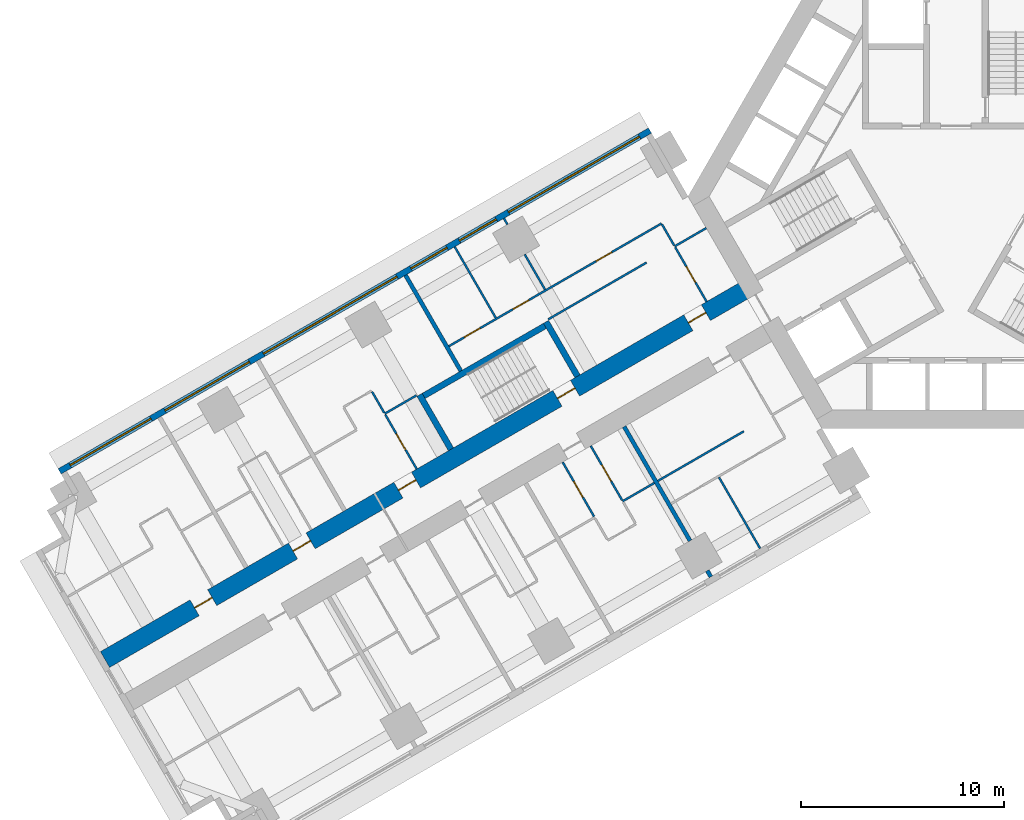
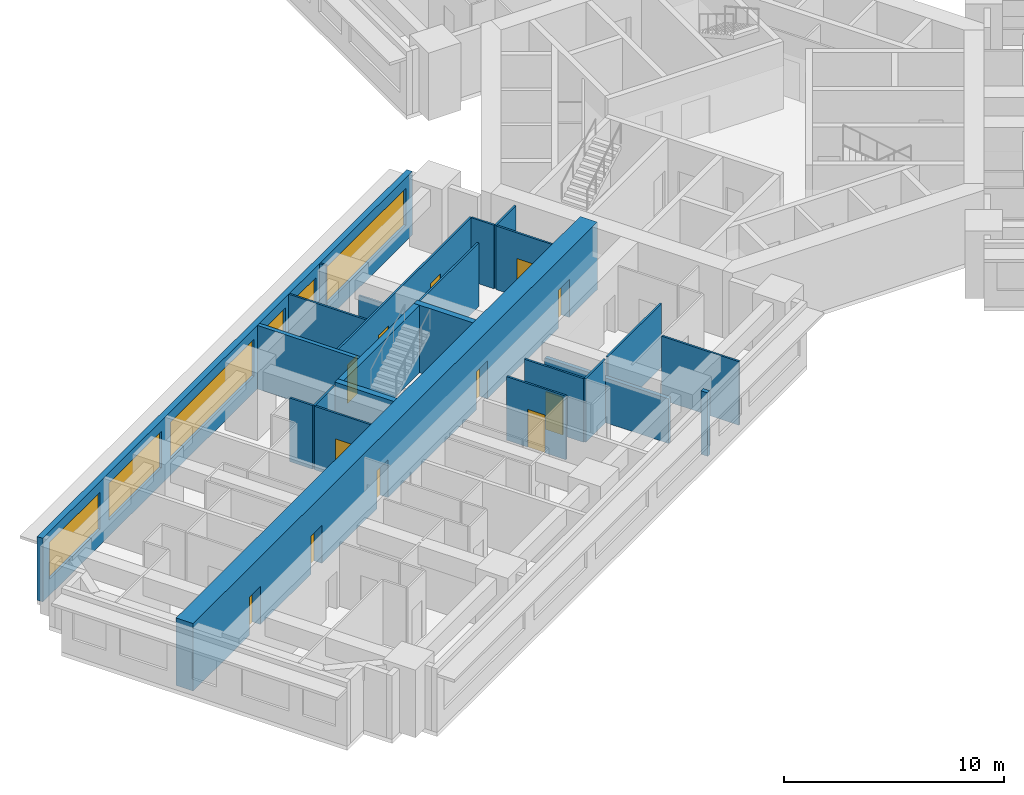
# One storey, part 5 of 16: 24 walls, 12 doors, 6 windows, 18 openings.
"""IFC4 building model written with IfcOpenShell, lengths in metres."""

from ifc_helpers import new_model, si_unit, direction, frame, frame_2d, origin, place, context, subcontext, project, spatial, rectangle, extrude, material, layer, layer_set, type_object, element, fill, save


model = new_model("IFC4")

# Units and contexts
model_context = context("Model", 3, precision=1e-05, world=origin(), true_north=direction((0.0, 1.0)))
body_context = subcontext(model_context, "Body", "Model", "MODEL_VIEW")
ifc_project = project(units=[si_unit("LENGTHUNIT", "METRE"), si_unit("AREAUNIT", "SQUARE_METRE"), si_unit("VOLUMEUNIT", "CUBIC_METRE"), si_unit("PLANEANGLEUNIT", "RADIAN"), si_unit("MASSUNIT", "GRAM", prefix="KILO")], contexts=[model_context])

# Site, building, storey
site_placement = place(None, origin())
site = spatial("IfcSite", under=ifc_project, at=site_placement, CompositionType="ELEMENT")
building_placement = place(site_placement, origin())
building = spatial("IfcBuilding", under=site, at=building_placement, Name="Impinga Residences", CompositionType="ELEMENT")
storey_placement = place(building_placement, frame((0.0, 0.0, 44.75)))
storey = spatial("IfcBuildingStorey", under=building, at=storey_placement, Name="L10", CompositionType="ELEMENT", Elevation=44.75)

# Wall, openings, doors
ifc_material_1 = material(Name="Concrete C70/85", Category="concrete")
ifc_layer_1 = layer(ifc_material_1, 0.89990234375)
ifc_layer_set_1 = layer_set([ifc_layer_1], Name="Concrete C70/85")
wall_type_1 = type_object("IfcWallType", Name="BW1 corridor buttress wall, L05 to L22 900", PredefinedType="SHEAR", material=ifc_layer_set_1)
wall_1_placement = place(storey_placement, frame((-10.1103515625, -4.451416015625, 0.0), z_axis=(0.0, 0.0, 1.0), x_axis=(-0.866025284237, -0.500000207062, 0.0)))
wall_1 = element("IfcWall", 1, at=wall_1_placement, inside=storey, type_object=wall_type_1, Name="Corridor wall BW1 WD L10", PredefinedType="SHEAR", context=body_context, shape_type="SweptSolid", body=[
    extrude(rectangle(XDim=36.75, YDim=0.89990234375, at=frame_2d((18.375, 0.0))), origin(), (0.0, 0.0, 1.0), 3.75),
])
opening_1_placement = place(wall_1_placement, frame((10.0, 0.0, 0.0)))
opening_1 = element("IfcOpeningElement", 2, at=opening_1_placement, cuts=wall_1, Name="Opening D5", PredefinedType="OPENING", context=body_context, shape_type="SweptSolid", body=[
    extrude(rectangle(XDim=1.0, YDim=2.10009765625, at=frame_2d((0.5, 1.050048828125))), frame((0.0, 0.4599609375, 0.0), z_axis=(0.0, -1.0, 0.0), x_axis=(1.0, 0.0, 0.0)), (0.0, 0.0, 1.0), 0.919921875),
])
opening_2_placement = place(wall_1_placement, frame((2.550048828125, 0.0, 0.0)))
opening_2 = element("IfcOpeningElement", 3, at=opening_2_placement, cuts=wall_1, Name="Opening D1", PredefinedType="OPENING", context=body_context, shape_type="SweptSolid", body=[
    extrude(rectangle(XDim=1.0, YDim=2.10009765625, at=frame_2d((0.5, 1.050048828125))), frame((0.0, 0.4599609375, 0.0), z_axis=(0.0, -1.0, 0.0), x_axis=(1.0, 0.0, 0.0)), (0.0, 0.0, 1.0), 0.919921875),
])
opening_3_placement = place(wall_1_placement, frame((19.050048828125, 0.0, 0.0)))
opening_3 = element("IfcOpeningElement", 4, at=opening_3_placement, cuts=wall_1, Name="Opening D1", PredefinedType="OPENING", context=body_context, shape_type="SweptSolid", body=[
    extrude(rectangle(XDim=1.0, YDim=2.10009765625, at=frame_2d((0.5, 1.050048828125))), frame((0.0, 0.4599609375, 0.0), z_axis=(0.0, -1.0, 0.0), x_axis=(1.0, 0.0, 0.0)), (0.0, 0.0, 1.0), 0.919921875),
])
opening_4_placement = place(wall_1_placement, frame((25.050048828125, 0.0, 0.0)))
opening_4 = element("IfcOpeningElement", 5, at=opening_4_placement, cuts=wall_1, Name="Opening D1", PredefinedType="OPENING", context=body_context, shape_type="SweptSolid", body=[
    extrude(rectangle(XDim=1.0, YDim=2.10009765625, at=frame_2d((0.5, 1.050048828125))), frame((0.0, 0.4599609375, 0.0), z_axis=(0.0, -1.0, 0.0), x_axis=(1.0, 0.0, 0.0)), (0.0, 0.0, 1.0), 0.919921875),
])
opening_5_placement = place(wall_1_placement, frame((30.64990234375, 0.0, 0.0)))
opening_5 = element("IfcOpeningElement", 6, at=opening_5_placement, cuts=wall_1, Name="Opening D1", PredefinedType="OPENING", context=body_context, shape_type="SweptSolid", body=[
    extrude(rectangle(XDim=1.0, YDim=2.10009765625, at=frame_2d((0.5, 1.050048828125))), frame((0.0, 0.4599609375, 0.0), z_axis=(0.0, -1.0, 0.0), x_axis=(1.0, 0.0, 0.0)), (0.0, 0.0, 1.0), 0.919921875),
])
ifc_material_2 = material(Name="Timber door set", Category="wood")
door_type_1 = type_object("IfcDoorType", Name="D1 apartment entrance door 1000x2100", OperationType="SINGLE_SWING_LEFT", PredefinedType="DOOR", material=ifc_material_2)
door_1_placement = place(opening_2_placement, origin())
door_1 = element("IfcDoor", 7, at=door_1_placement, inside=storey, type_object=door_type_1, Name="Apartment L10-WF1 entrance", OperationType="SINGLE_SWING_LEFT", OverallHeight=2.10009765625, OverallWidth=1.0, PredefinedType="DOOR", context=body_context, shape_type="SweptSolid", body=[
    extrude(rectangle(XDim=1.0, YDim=2.10009765625, at=frame_2d((0.5, 1.050048828125))), frame((0.0, 0.02490234375, 0.0), z_axis=(0.0, -1.0, 0.0), x_axis=(1.0, 0.0, 0.0)), (0.0, 0.0, 1.0), 0.050048828125),
])
fill(opening_2, door_1)
door_2_placement = place(opening_3_placement, origin())
door_2 = element("IfcDoor", 8, at=door_2_placement, inside=storey, type_object=door_type_1, Name="Apartment L10-WF2 entrance", OperationType="SINGLE_SWING_RIGHT", OverallHeight=2.10009765625, OverallWidth=1.0, PredefinedType="DOOR", context=body_context, shape_type="SweptSolid", body=[
    extrude(rectangle(XDim=1.0, YDim=2.10009765625, at=frame_2d((0.5, 1.050048828125))), frame((0.0, 0.02490234375, 0.0), z_axis=(0.0, -1.0, 0.0), x_axis=(1.0, 0.0, 0.0)), (0.0, 0.0, 1.0), 0.050048828125),
])
fill(opening_3, door_2)
door_3_placement = place(opening_4_placement, origin())
door_3 = element("IfcDoor", 9, at=door_3_placement, inside=storey, type_object=door_type_1, Name="Apartment L10-WF3 entrance", OperationType="SINGLE_SWING_RIGHT", OverallHeight=2.10009765625, OverallWidth=1.0, PredefinedType="DOOR", context=body_context, shape_type="SweptSolid", body=[
    extrude(rectangle(XDim=1.0, YDim=2.10009765625, at=frame_2d((0.5, 1.050048828125))), frame((0.0, 0.02490234375, 0.0), z_axis=(0.0, -1.0, 0.0), x_axis=(1.0, 0.0, 0.0)), (0.0, 0.0, 1.0), 0.050048828125),
])
fill(opening_4, door_3)
door_4_placement = place(opening_5_placement, origin())
door_4 = element("IfcDoor", 10, at=door_4_placement, inside=storey, type_object=door_type_1, Name="Apartment L10-WF4 entrance", OperationType="SINGLE_SWING_RIGHT", OverallHeight=2.10009765625, OverallWidth=1.0, PredefinedType="DOOR", context=body_context, shape_type="SweptSolid", body=[
    extrude(rectangle(XDim=1.0, YDim=2.10009765625, at=frame_2d((0.5, 1.050048828125))), frame((0.0, 0.02490234375, 0.0), z_axis=(0.0, -1.0, 0.0), x_axis=(1.0, 0.0, 0.0)), (0.0, 0.0, 1.0), 0.050048828125),
])
fill(opening_5, door_4)
door_type_2 = type_object("IfcDoorType", Name="D5 stair door 1000x2100", OperationType="SINGLE_SWING_LEFT", PredefinedType="DOOR", material=ifc_material_2)
door_5_placement = place(opening_1_placement, origin())
door_5 = element("IfcDoor", 11, at=door_5_placement, inside=storey, type_object=door_type_2, Name="Wing stair door W", OperationType="SINGLE_SWING_LEFT", OverallHeight=2.10009765625, OverallWidth=1.0, PredefinedType="DOOR", context=body_context, shape_type="SweptSolid", body=[
    extrude(rectangle(XDim=1.0, YDim=2.10009765625, at=frame_2d((0.5, 1.050048828125))), frame((0.0, 0.02490234375, 0.0), z_axis=(0.0, -1.0, 0.0), x_axis=(1.0, 0.0, 0.0)), (0.0, 0.0, 1.0), 0.050048828125),
])
fill(opening_1, door_5)

# Wall, openings, windows
ifc_material_3 = material(Name="Terracotta rainscreen on blockwork", Category="masonry")
ifc_layer_2 = layer(ifc_material_3, 0.300048828125)
ifc_layer_set_2 = layer_set([ifc_layer_2], Name="EW1 external wall, terracotta rainscreen on blockwork 300")
wall_type_2 = type_object("IfcWallType", Name="EW1 external wall, terracotta rainscreen on blockwork 300", PredefinedType="SOLIDWALL", material=ifc_layer_set_2)
wall_2_placement = place(storey_placement, frame((-44.17333984375, -13.552490234375, 0.0), z_axis=(0.0, 0.0, 1.0), x_axis=(0.866024291668, 0.500001926238, 0.0)))
wall_2 = element("IfcWall", 12, at=wall_2_placement, inside=storey, type_object=wall_type_2, Name="External wall EW1 L10", PredefinedType="SOLIDWALL", context=body_context, shape_type="SweptSolid", body=[
    extrude(rectangle(XDim=33.599853515625, YDim=0.300048828125, at=frame_2d((16.7998046875, 0.0))), origin(), (0.0, 0.0, 1.0), 3.530029296875),
])
opening_6_placement = place(wall_2_placement, frame((0.60009765625, 0.0, 0.89990234375)))
opening_6 = element("IfcOpeningElement", 13, at=opening_6_placement, cuts=wall_2, Name="Opening W3", PredefinedType="OPENING", context=body_context, shape_type="SweptSolid", body=[
    extrude(rectangle(XDim=4.60009765625, YDim=2.050048828125, at=frame_2d((2.300048828125, 1.02490234375))), frame((0.0, 0.159912109375, 0.0), z_axis=(0.0, -1.0, 0.0), x_axis=(1.0, 0.0, 0.0)), (0.0, 0.0, 1.0), 0.320068359375),
])
opening_7_placement = place(wall_2_placement, frame((6.0, 0.0, 0.89990234375)))
opening_7 = element("IfcOpeningElement", 14, at=opening_7_placement, cuts=wall_2, Name="Opening W8", PredefinedType="OPENING", context=body_context, shape_type="SweptSolid", body=[
    extrude(rectangle(XDim=4.800048828125, YDim=2.050048828125, at=frame_2d((2.39990234375, 1.02490234375))), frame((0.0, 0.159912109375, 0.0), z_axis=(0.0, -1.0, 0.0), x_axis=(1.0, 0.0, 0.0)), (0.0, 0.0, 1.0), 0.320068359375),
])
opening_8_placement = place(wall_2_placement, frame((11.60009765625, 0.0, 0.89990234375)))
opening_8 = element("IfcOpeningElement", 15, at=opening_8_placement, cuts=wall_2, Name="Opening W5", PredefinedType="OPENING", context=body_context, shape_type="SweptSolid", body=[
    extrude(rectangle(XDim=7.60009765625, YDim=2.050048828125, at=frame_2d((3.800048828125, 1.02490234375))), frame((0.0, 0.159912109375, 0.0), z_axis=(0.0, -1.0, 0.0), x_axis=(1.0, 0.0, 0.0)), (0.0, 0.0, 1.0), 0.320068359375),
])
opening_9_placement = place(wall_2_placement, frame((20.0, 0.0, 0.89990234375)))
opening_9 = element("IfcOpeningElement", 16, at=opening_9_placement, cuts=wall_2, Name="Opening W14", PredefinedType="OPENING", context=body_context, shape_type="SweptSolid", body=[
    extrude(rectangle(XDim=2.050048828125, YDim=2.050048828125, at=frame_2d((1.02490234375, 1.02490234375))), frame((0.0, 0.159912109375, 0.0), z_axis=(0.0, -1.0, 0.0), x_axis=(1.0, 0.0, 0.0)), (0.0, 0.0, 1.0), 0.320068359375),
])
opening_10_placement = place(wall_2_placement, frame((22.75, 0.0, 0.89990234375)))
opening_10 = element("IfcOpeningElement", 17, at=opening_10_placement, cuts=wall_2, Name="Opening W9", PredefinedType="OPENING", context=body_context, shape_type="SweptSolid", body=[
    extrude(rectangle(XDim=2.10009765625, YDim=2.050048828125, at=frame_2d((1.050048828125, 1.02490234375))), frame((0.0, 0.159912109375, 0.0), z_axis=(0.0, -1.0, 0.0), x_axis=(1.0, 0.0, 0.0)), (0.0, 0.0, 1.0), 0.320068359375),
])
opening_11_placement = place(wall_2_placement, frame((25.550048828125, 0.0, 0.89990234375)))
opening_11 = element("IfcOpeningElement", 18, at=opening_11_placement, cuts=wall_2, Name="Opening W7", PredefinedType="OPENING", context=body_context, shape_type="SweptSolid", body=[
    extrude(rectangle(XDim=7.449951171875, YDim=2.050048828125, at=frame_2d((3.72509765625, 1.02490234375))), frame((0.0, 0.159912109375, 0.0), z_axis=(0.0, -1.0, 0.0), x_axis=(1.0, 0.0, 0.0)), (0.0, 0.0, 1.0), 0.320068359375),
])
ifc_material_4 = material(Name="Aluminium window, clear double glazing", Category="aluminium")
window_type_1 = type_object("IfcWindowType", Name="W14 ribbon window 2050x2050", PartitioningType="SINGLE_PANEL", PredefinedType="WINDOW", material=ifc_material_4)
window_1_placement = place(opening_9_placement, origin())
window_1 = element("IfcWindow", 19, at=window_1_placement, inside=storey, type_object=window_type_1, Name="Window L10", OverallHeight=2.050048828125, OverallWidth=2.050048828125, PartitioningType="SINGLE_PANEL", PredefinedType="WINDOW", context=body_context, shape_type="SweptSolid", body=[
    extrude(rectangle(XDim=2.050048828125, YDim=2.050048828125, at=frame_2d((1.02490234375, 1.02490234375))), frame((0.0, 0.030029296875, 0.0), z_axis=(0.0, -1.0, 0.0), x_axis=(1.0, 0.0, 0.0)), (0.0, 0.0, 1.0), 0.06005859375),
])
fill(opening_9, window_1)
window_type_2 = type_object("IfcWindowType", Name="W3 ribbon window 4600x2050", PartitioningType="SINGLE_PANEL", PredefinedType="WINDOW", material=ifc_material_4)
window_2_placement = place(opening_6_placement, origin())
window_2 = element("IfcWindow", 20, at=window_2_placement, inside=storey, type_object=window_type_2, Name="Window L10", OverallHeight=2.050048828125, OverallWidth=4.60009765625, PartitioningType="SINGLE_PANEL", PredefinedType="WINDOW", context=body_context, shape_type="SweptSolid", body=[
    extrude(rectangle(XDim=4.60009765625, YDim=2.050048828125, at=frame_2d((2.300048828125, 1.02490234375))), frame((0.0, 0.030029296875, 0.0), z_axis=(0.0, -1.0, 0.0), x_axis=(1.0, 0.0, 0.0)), (0.0, 0.0, 1.0), 0.06005859375),
])
fill(opening_6, window_2)
window_type_3 = type_object("IfcWindowType", Name="W5 ribbon window 7600x2050", PartitioningType="SINGLE_PANEL", PredefinedType="WINDOW", material=ifc_material_4)
window_3_placement = place(opening_8_placement, origin())
window_3 = element("IfcWindow", 21, at=window_3_placement, inside=storey, type_object=window_type_3, Name="Window L10", OverallHeight=2.050048828125, OverallWidth=7.60009765625, PartitioningType="SINGLE_PANEL", PredefinedType="WINDOW", context=body_context, shape_type="SweptSolid", body=[
    extrude(rectangle(XDim=7.60009765625, YDim=2.050048828125, at=frame_2d((3.800048828125, 1.02490234375))), frame((0.0, 0.030029296875, 0.0), z_axis=(0.0, -1.0, 0.0), x_axis=(1.0, 0.0, 0.0)), (0.0, 0.0, 1.0), 0.06005859375),
])
fill(opening_8, window_3)
window_type_4 = type_object("IfcWindowType", Name="W7 ribbon window 7450x2050", PartitioningType="SINGLE_PANEL", PredefinedType="WINDOW", material=ifc_material_4)
window_4_placement = place(opening_11_placement, origin())
window_4 = element("IfcWindow", 22, at=window_4_placement, inside=storey, type_object=window_type_4, Name="Window L10", OverallHeight=2.050048828125, OverallWidth=7.449951171875, PartitioningType="SINGLE_PANEL", PredefinedType="WINDOW", context=body_context, shape_type="SweptSolid", body=[
    extrude(rectangle(XDim=7.449951171875, YDim=2.050048828125, at=frame_2d((3.72509765625, 1.02490234375))), frame((0.0, 0.030029296875, 0.0), z_axis=(0.0, -1.0, 0.0), x_axis=(1.0, 0.0, 0.0)), (0.0, 0.0, 1.0), 0.06005859375),
])
fill(opening_11, window_4)
window_type_5 = type_object("IfcWindowType", Name="W8 ribbon window 4800x2050", PartitioningType="SINGLE_PANEL", PredefinedType="WINDOW", material=ifc_material_4)
window_5_placement = place(opening_7_placement, origin())
window_5 = element("IfcWindow", 23, at=window_5_placement, inside=storey, type_object=window_type_5, Name="Window L10", OverallHeight=2.050048828125, OverallWidth=4.800048828125, PartitioningType="SINGLE_PANEL", PredefinedType="WINDOW", context=body_context, shape_type="SweptSolid", body=[
    extrude(rectangle(XDim=4.800048828125, YDim=2.050048828125, at=frame_2d((2.39990234375, 1.02490234375))), frame((0.0, 0.030029296875, 0.0), z_axis=(0.0, -1.0, 0.0), x_axis=(1.0, 0.0, 0.0)), (0.0, 0.0, 1.0), 0.06005859375),
])
fill(opening_7, window_5)
window_type_6 = type_object("IfcWindowType", Name="W9 ribbon window 2100x2050", PartitioningType="SINGLE_PANEL", PredefinedType="WINDOW", material=ifc_material_4)
window_6_placement = place(opening_10_placement, origin())
window_6 = element("IfcWindow", 24, at=window_6_placement, inside=storey, type_object=window_type_6, Name="Window L10", OverallHeight=2.050048828125, OverallWidth=2.10009765625, PartitioningType="SINGLE_PANEL", PredefinedType="WINDOW", context=body_context, shape_type="SweptSolid", body=[
    extrude(rectangle(XDim=2.10009765625, YDim=2.050048828125, at=frame_2d((1.050048828125, 1.02490234375))), frame((0.0, 0.030029296875, 0.0), z_axis=(0.0, -1.0, 0.0), x_axis=(1.0, 0.0, 0.0)), (0.0, 0.0, 1.0), 0.06005859375),
])
fill(opening_10, window_6)

# Walls
ifc_material_5 = material(Name="Gypsum board on steel studs", Category="steel")
ifc_layer_3 = layer(ifc_material_5, 0.10009765625)
ifc_layer_set_3 = layer_set([ifc_layer_3], Name="Gypsum board on steel studs")
wall_type_3 = type_object("IfcWallType", Name="IP1 partition 100", PredefinedType="PARTITIONING", material=ifc_layer_set_3)
wall_3_placement = place(storey_placement, frame((-10.444580078125, -11.57275390625, 0.0), z_axis=(0.0, 0.0, 1.0), x_axis=(-0.866023786258, -0.500002801628, 0.0)))
element("IfcWall", 25, at=wall_3_placement, inside=storey, type_object=wall_type_3, Name="Partition L10-WA1:DIV1", PredefinedType="PARTITIONING", context=body_context, shape_type="SweptSolid", body=[
    extrude(rectangle(XDim=4.89990234375, YDim=0.10009765625, at=frame_2d((2.449951171875, 0.0))), origin(), (0.0, 0.0, 1.0), 3.530029296875),
])
wall_4_placement = place(storey_placement, frame((-11.6748046875, -13.841796875, 0.0), z_axis=(0.0, 0.0, 1.0), x_axis=(0.500035537042, -0.866004885491, 0.0)))
element("IfcWall", 26, at=wall_4_placement, inside=storey, type_object=wall_type_3, Name="Partition L10-WA1:OB1", PredefinedType="PARTITIONING", context=body_context, shape_type="SweptSolid", body=[
    extrude(rectangle(XDim=4.050048828125, YDim=0.10009765625, at=frame_2d((2.02490234375, 0.0))), origin(), (0.0, 0.0, 1.0), 3.530029296875),
])
wall_5_placement = place(storey_placement, frame((-14.861328125, -14.122802734375, 0.0), z_axis=(0.0, 0.0, 1.0), x_axis=(-0.866047807691, -0.499961193289, 0.0)))
element("IfcWall", 27, at=wall_5_placement, inside=storey, type_object=wall_type_3, Name="Partition L10-WA2:DIV0", PredefinedType="PARTITIONING", context=body_context, shape_type="SweptSolid", body=[
    extrude(rectangle(XDim=1.800048828125, YDim=0.10009765625, at=frame_2d((0.89990234375, 0.0))), origin(), (0.0, 0.0, 1.0), 3.530029296875),
])

# Wall, opening, door
wall_6_placement = place(storey_placement, frame((-17.9951171875, -12.294677734375, 0.0), z_axis=(0.0, 0.0, 1.0), x_axis=(0.49999285859, -0.86602952684, 0.0)))
wall_6 = element("IfcWall", 28, at=wall_6_placement, inside=storey, type_object=wall_type_3, Name="Partition L10-WA2:IB1", PredefinedType="PARTITIONING", context=body_context, shape_type="SweptSolid", body=[
    extrude(rectangle(XDim=3.10009765625, YDim=0.10009765625, at=frame_2d((1.550048828125, 0.0))), origin(), (0.0, 0.0, 1.0), 3.530029296875),
])
opening_12_placement = place(wall_6_placement, frame((1.10009765625, 0.0, 0.0)))
opening_12 = element("IfcOpeningElement", 29, at=opening_12_placement, cuts=wall_6, Name="Opening D2", PredefinedType="OPENING", context=body_context, shape_type="SweptSolid", body=[
    extrude(rectangle(XDim=0.89990234375, YDim=2.10009765625, at=frame_2d((0.449951171875, 1.050048828125))), frame((0.0, 0.06005859375, 0.0), z_axis=(0.0, -1.0, 0.0), x_axis=(1.0, 0.0, 0.0)), (0.0, 0.0, 1.0), 0.1201171875),
])
door_type_3 = type_object("IfcDoorType", Name="D2 internal door 900x2100", OperationType="SINGLE_SWING_LEFT", PredefinedType="DOOR", material=ifc_material_2)
door_6_placement = place(opening_12_placement, origin())
door_6 = element("IfcDoor", 30, at=door_6_placement, inside=storey, type_object=door_type_3, Name="Apartment L10-WA2 bathroom door", OperationType="SINGLE_SWING_LEFT", OverallHeight=2.10009765625, OverallWidth=0.89990234375, PredefinedType="DOOR", context=body_context, shape_type="SweptSolid", body=[
    extrude(rectangle(XDim=0.89990234375, YDim=2.10009765625, at=frame_2d((0.449951171875, 1.050048828125))), frame((0.0, 0.02490234375, 0.0), z_axis=(0.0, -1.0, 0.0), x_axis=(1.0, 0.0, 0.0)), (0.0, 0.0, 1.0), 0.050048828125),
])
fill(opening_12, door_6)

wall_7_placement = place(storey_placement, frame((-19.380615234375, -13.0947265625, 0.0), z_axis=(0.0, 0.0, 1.0), x_axis=(0.499967891604, -0.866043940782, 0.0)))
wall_7 = element("IfcWall", 31, at=wall_7_placement, inside=storey, type_object=wall_type_3, Name="Partition L10-WA2:IB2", PredefinedType="PARTITIONING", context=body_context, shape_type="SweptSolid", body=[
    extrude(rectangle(XDim=3.099853515625, YDim=0.10009765625, at=frame_2d((1.5498046875, 0.0))), origin(), (0.0, 0.0, 1.0), 3.530029296875),
])
opening_13_placement = place(wall_7_placement, frame((1.10009765625, 0.0, 0.0)))
opening_13 = element("IfcOpeningElement", 32, at=opening_13_placement, cuts=wall_7, Name="Opening D2", PredefinedType="OPENING", context=body_context, shape_type="SweptSolid", body=[
    extrude(rectangle(XDim=0.89990234375, YDim=2.10009765625, at=frame_2d((0.449951171875, 1.050048828125))), frame((0.0, 0.06005859375, 0.0), z_axis=(0.0, -1.0, 0.0), x_axis=(1.0, 0.0, 0.0)), (0.0, 0.0, 1.0), 0.1201171875),
])
door_7_placement = place(opening_13_placement, origin())
door_7 = element("IfcDoor", 33, at=door_7_placement, inside=storey, type_object=door_type_3, Name="Apartment L10-WA2 WC door", OperationType="SINGLE_SWING_LEFT", OverallHeight=2.10009765625, OverallWidth=0.89990234375, PredefinedType="DOOR", context=body_context, shape_type="SweptSolid", body=[
    extrude(rectangle(XDim=0.89990234375, YDim=2.10009765625, at=frame_2d((0.449951171875, 1.050048828125))), frame((0.0, 0.02490234375, 0.0), z_axis=(0.0, -1.0, 0.0), x_axis=(1.0, 0.0, 0.0)), (0.0, 0.0, 1.0), 0.050048828125),
])
fill(opening_13, door_7)

# Walls
wall_8_placement = place(storey_placement, frame((-12.300048828125, -1.558837890625, 0.0), z_axis=(0.0, 0.0, 1.0), x_axis=(-0.866047807691, -0.499961193289, 0.0)))
element("IfcWall", 34, at=wall_8_placement, inside=storey, type_object=wall_type_3, Name="Partition L10-WF1:DIV0", PredefinedType="PARTITIONING", context=body_context, shape_type="SweptSolid", body=[
    extrude(rectangle(XDim=1.800048828125, YDim=0.10009765625, at=frame_2d((0.89990234375, 0.0))), origin(), (0.0, 0.0, 1.0), 3.530029296875),
])
wall_9_placement = place(storey_placement, frame((-15.244384765625, -3.2587890625, 0.0), z_axis=(0.0, 0.0, 1.0), x_axis=(-0.866026594901, -0.49999793692, 0.0)))
element("IfcWall", 35, at=wall_9_placement, inside=storey, type_object=wall_type_3, Name="Partition L10-WF1:DIV1", PredefinedType="PARTITIONING", context=body_context, shape_type="SweptSolid", body=[
    extrude(rectangle(XDim=5.60009765625, YDim=0.10009765625, at=frame_2d((2.800048828125, 0.0))), origin(), (0.0, 0.0, 1.0), 3.530029296875),
])

# Wall, openings, doors
wall_10_placement = place(storey_placement, frame((-14.5087890625, -1.3330078125, 0.0), z_axis=(0.0, 0.0, 1.0), x_axis=(-0.866025650635, -0.499999572443, 0.0)))
wall_10 = element("IfcWall", 36, at=wall_10_placement, inside=storey, type_object=wall_type_3, Name="Partition L10-WF1:STRIP", PredefinedType="PARTITIONING", context=body_context, shape_type="SweptSolid", body=[
    extrude(rectangle(XDim=12.10009765625, YDim=0.10009765625, at=frame_2d((6.050048828125, 0.0))), origin(), (0.0, 0.0, 1.0), 3.530029296875),
])
opening_14_placement = place(wall_10_placement, frame((2.824951171875, 0.0, 0.0)))
opening_14 = element("IfcOpeningElement", 37, at=opening_14_placement, cuts=wall_10, Name="Opening D2", PredefinedType="OPENING", context=body_context, shape_type="SweptSolid", body=[
    extrude(rectangle(XDim=0.89990234375, YDim=2.10009765625, at=frame_2d((0.449951171875, 1.050048828125))), frame((0.0, 0.06005859375, 0.0), z_axis=(0.0, -1.0, 0.0), x_axis=(1.0, 0.0, 0.0)), (0.0, 0.0, 1.0), 0.1201171875),
])
opening_15_placement = place(wall_10_placement, frame((7.550048828125, 0.0, 0.0)))
opening_15 = element("IfcOpeningElement", 38, at=opening_15_placement, cuts=wall_10, Name="Opening D2", PredefinedType="OPENING", context=body_context, shape_type="SweptSolid", body=[
    extrude(rectangle(XDim=0.89990234375, YDim=2.10009765625, at=frame_2d((0.449951171875, 1.050048828125))), frame((0.0, 0.06005859375, 0.0), z_axis=(0.0, -1.0, 0.0), x_axis=(1.0, 0.0, 0.0)), (0.0, 0.0, 1.0), 0.1201171875),
])
opening_16_placement = place(wall_10_placement, frame((10.324951171875, 0.0, 0.0)))
opening_16 = element("IfcOpeningElement", 39, at=opening_16_placement, cuts=wall_10, Name="Opening D2", PredefinedType="OPENING", context=body_context, shape_type="SweptSolid", body=[
    extrude(rectangle(XDim=0.89990234375, YDim=2.10009765625, at=frame_2d((0.449951171875, 1.050048828125))), frame((0.0, 0.06005859375, 0.0), z_axis=(0.0, -1.0, 0.0), x_axis=(1.0, 0.0, 0.0)), (0.0, 0.0, 1.0), 0.1201171875),
])
door_8_placement = place(opening_14_placement, origin())
door_8 = element("IfcDoor", 40, at=door_8_placement, inside=storey, type_object=door_type_3, Name="Apartment L10-WF1 room door", OperationType="SINGLE_SWING_LEFT", OverallHeight=2.10009765625, OverallWidth=0.89990234375, PredefinedType="DOOR", context=body_context, shape_type="SweptSolid", body=[
    extrude(rectangle(XDim=0.89990234375, YDim=2.10009765625, at=frame_2d((0.449951171875, 1.050048828125))), frame((0.0, 0.02490234375, 0.0), z_axis=(0.0, -1.0, 0.0), x_axis=(1.0, 0.0, 0.0)), (0.0, 0.0, 1.0), 0.050048828125),
])
fill(opening_14, door_8)
door_9_placement = place(opening_15_placement, origin())
door_9 = element("IfcDoor", 41, at=door_9_placement, inside=storey, type_object=door_type_3, Name="Apartment L10-WF1 room door", OperationType="SINGLE_SWING_RIGHT", OverallHeight=2.10009765625, OverallWidth=0.89990234375, PredefinedType="DOOR", context=body_context, shape_type="SweptSolid", body=[
    extrude(rectangle(XDim=0.89990234375, YDim=2.10009765625, at=frame_2d((0.449951171875, 1.050048828125))), frame((0.0, 0.02490234375, 0.0), z_axis=(0.0, -1.0, 0.0), x_axis=(1.0, 0.0, 0.0)), (0.0, 0.0, 1.0), 0.050048828125),
])
fill(opening_15, door_9)
door_10_placement = place(opening_16_placement, origin())
door_10 = element("IfcDoor", 42, at=door_10_placement, inside=storey, type_object=door_type_3, Name="Apartment L10-WF1 room door", OperationType="SINGLE_SWING_RIGHT", OverallHeight=2.10009765625, OverallWidth=0.89990234375, PredefinedType="DOOR", context=body_context, shape_type="SweptSolid", body=[
    extrude(rectangle(XDim=0.89990234375, YDim=2.10009765625, at=frame_2d((0.449951171875, 1.050048828125))), frame((0.0, 0.02490234375, 0.0), z_axis=(0.0, -1.0, 0.0), x_axis=(1.0, 0.0, 0.0)), (0.0, 0.0, 1.0), 0.050048828125),
])
fill(opening_16, door_10)

# Wall
wall_11_placement = place(storey_placement, frame((-13.8837890625, -2.41552734375, 0.0), z_axis=(0.0, 0.0, 1.0), x_axis=(-0.500033551112, 0.866006032174, 0.0)))
element("IfcWall", 43, at=wall_11_placement, inside=storey, type_object=wall_type_3, Name="Partition L10-WF1:SE0", PredefinedType="PARTITIONING", context=body_context, shape_type="SweptSolid", body=[
    extrude(rectangle(XDim=1.2001953125, YDim=0.10009765625, at=frame_2d((0.60009765625, 0.0))), origin(), (0.0, 0.0, 1.0), 3.530029296875),
])

# Wall, opening, door
wall_12_placement = place(storey_placement, frame((-12.283935546875, -5.186767578125, 0.0), z_axis=(0.0, 0.0, 1.0), x_axis=(-0.499967891604, 0.866043940782, 0.0)))
wall_12 = element("IfcWall", 44, at=wall_12_placement, inside=storey, type_object=wall_type_3, Name="Partition L10-WF1:IB1", PredefinedType="PARTITIONING", context=body_context, shape_type="SweptSolid", body=[
    extrude(rectangle(XDim=3.099853515625, YDim=0.10009765625, at=frame_2d((1.5498046875, 0.0))), origin(), (0.0, 0.0, 1.0), 3.530029296875),
])
opening_17_placement = place(wall_12_placement, frame((1.10009765625, 0.0, 0.0)))
opening_17 = element("IfcOpeningElement", 45, at=opening_17_placement, cuts=wall_12, Name="Opening D2", PredefinedType="OPENING", context=body_context, shape_type="SweptSolid", body=[
    extrude(rectangle(XDim=0.89990234375, YDim=2.10009765625, at=frame_2d((0.449951171875, 1.050048828125))), frame((0.0, 0.06005859375, 0.0), z_axis=(0.0, -1.0, 0.0), x_axis=(1.0, 0.0, 0.0)), (0.0, 0.0, 1.0), 0.1201171875),
])
door_11_placement = place(opening_17_placement, origin())
door_11 = element("IfcDoor", 46, at=door_11_placement, inside=storey, type_object=door_type_3, Name="Apartment L10-WF1 bathroom door", OperationType="SINGLE_SWING_LEFT", OverallHeight=2.10009765625, OverallWidth=0.89990234375, PredefinedType="DOOR", context=body_context, shape_type="SweptSolid", body=[
    extrude(rectangle(XDim=0.89990234375, YDim=2.10009765625, at=frame_2d((0.449951171875, 1.050048828125))), frame((0.0, 0.02490234375, 0.0), z_axis=(0.0, -1.0, 0.0), x_axis=(1.0, 0.0, 0.0)), (0.0, 0.0, 1.0), 0.050048828125),
])
fill(opening_17, door_11)

# Walls
wall_13_placement = place(storey_placement, frame((-20.24951171875, -4.589599609375, 0.0), z_axis=(0.0, 0.0, 1.0), x_axis=(-0.50002537861, 0.866010750942, 0.0)))
element("IfcWall", 47, at=wall_13_placement, inside=storey, type_object=wall_type_3, Name="Partition L10-WF1:OB1", PredefinedType="PARTITIONING", context=body_context, shape_type="SweptSolid", body=[
    extrude(rectangle(XDim=2.0, YDim=0.10009765625, at=frame_2d((1.0, 0.0))), origin(), (0.0, 0.0, 1.0), 2.47998046875),
])
wall_14_placement = place(storey_placement, frame((-22.099609375, -1.385498046875, 0.0), z_axis=(0.0, 0.0, 1.0), x_axis=(-0.49996389635, 0.866046247233, 0.0)))
element("IfcWall", 48, at=wall_14_placement, inside=storey, type_object=wall_type_3, Name="Partition L10-WF1:OB1b", PredefinedType="PARTITIONING", context=body_context, shape_type="SweptSolid", body=[
    extrude(rectangle(XDim=0.35009765625, YDim=0.10009765625, at=frame_2d((0.175048828125, 0.0))), origin(), (0.0, 0.0, 1.0), 3.530029296875),
])
wall_15_placement = place(storey_placement, frame((-22.674560546875, -5.98974609375, 0.0), z_axis=(0.0, 0.0, 1.0), x_axis=(-0.499990325971, 0.866030989016, 0.0)))
element("IfcWall", 49, at=wall_15_placement, inside=storey, type_object=wall_type_3, Name="Partition L10-WF1:OB2", PredefinedType="PARTITIONING", context=body_context, shape_type="SweptSolid", body=[
    extrude(rectangle(XDim=4.0498046875, YDim=0.10009765625, at=frame_2d((2.02490234375, 0.0))), origin(), (0.0, 0.0, 1.0), 3.530029296875),
])
wall_16_placement = place(storey_placement, frame((-26.58935546875, -9.808837890625, 0.0), z_axis=(0.0, 0.0, 1.0), x_axis=(-0.866047807691, -0.499961193289, 0.0)))
element("IfcWall", 50, at=wall_16_placement, inside=storey, type_object=wall_type_3, Name="Partition L10-WF2:DIV0", PredefinedType="PARTITIONING", context=body_context, shape_type="SweptSolid", body=[
    extrude(rectangle(XDim=1.800048828125, YDim=0.10009765625, at=frame_2d((0.89990234375, 0.0))), origin(), (0.0, 0.0, 1.0), 3.530029296875),
])
wall_17_placement = place(storey_placement, frame((-28.17333984375, -10.66552734375, 0.0), z_axis=(0.0, 0.0, 1.0), x_axis=(-0.499880961361, 0.866094119867, 0.0)))
element("IfcWall", 51, at=wall_17_placement, inside=storey, type_object=wall_type_3, Name="Partition L10-WF2:SE0", PredefinedType="PARTITIONING", context=body_context, shape_type="SweptSolid", body=[
    extrude(rectangle(XDim=1.199951171875, YDim=0.10009765625, at=frame_2d((0.60009765625, 0.0))), origin(), (0.0, 0.0, 1.0), 3.530029296875),
])

# Wall, opening, door
wall_18_placement = place(storey_placement, frame((-26.5732421875, -13.436767578125, 0.0), z_axis=(0.0, 0.0, 1.0), x_axis=(-0.500026960575, 0.86600983753, 0.0)))
wall_18 = element("IfcWall", 52, at=wall_18_placement, inside=storey, type_object=wall_type_3, Name="Partition L10-WF2:IB1", PredefinedType="PARTITIONING", context=body_context, shape_type="SweptSolid", body=[
    extrude(rectangle(XDim=3.099853515625, YDim=0.10009765625, at=frame_2d((1.5498046875, 0.0))), origin(), (0.0, 0.0, 1.0), 3.530029296875),
])
opening_18_placement = place(wall_18_placement, frame((1.10009765625, 0.0, 0.0)))
opening_18 = element("IfcOpeningElement", 53, at=opening_18_placement, cuts=wall_18, Name="Opening D2", PredefinedType="OPENING", context=body_context, shape_type="SweptSolid", body=[
    extrude(rectangle(XDim=0.89990234375, YDim=2.10009765625, at=frame_2d((0.449951171875, 1.050048828125))), frame((0.0, 0.06005859375, 0.0), z_axis=(0.0, -1.0, 0.0), x_axis=(1.0, 0.0, 0.0)), (0.0, 0.0, 1.0), 0.1201171875),
])
door_12_placement = place(opening_18_placement, origin())
door_12 = element("IfcDoor", 54, at=door_12_placement, inside=storey, type_object=door_type_3, Name="Apartment L10-WF2 bathroom door", OperationType="SINGLE_SWING_LEFT", OverallHeight=2.10009765625, OverallWidth=0.89990234375, PredefinedType="DOOR", context=body_context, shape_type="SweptSolid", body=[
    extrude(rectangle(XDim=0.89990234375, YDim=2.10009765625, at=frame_2d((0.449951171875, 1.050048828125))), frame((0.0, 0.02490234375, 0.0), z_axis=(0.0, -1.0, 0.0), x_axis=(1.0, 0.0, 0.0)), (0.0, 0.0, 1.0), 0.050048828125),
])
fill(opening_18, door_12)

# Walls
ifc_material_6 = material(Name="Concrete blockwork", Category="masonry")
ifc_layer_4 = layer(ifc_material_6, 0.199951171875)
ifc_layer_set_4 = layer_set([ifc_layer_4], Name="PW1 party wall between apartments 200")
wall_type_4 = type_object("IfcWallType", Name="PW1 party wall between apartments 200", PredefinedType="SOLIDWALL", material=ifc_layer_set_4)
wall_19_placement = place(storey_placement, frame((-16.349609375, -11.3447265625, 0.0), z_axis=(0.0, 0.0, 1.0), x_axis=(0.50000098154, -0.866024837091, 0.0)))
element("IfcWall", 55, at=wall_19_placement, inside=storey, type_object=wall_type_4, Name="Party wall between apartments L10-WA1:PARTY", PredefinedType="SOLIDWALL", context=body_context, shape_type="SweptSolid", body=[
    extrude(rectangle(XDim=6.5, YDim=0.199951171875, at=frame_2d((3.25, 0.0))), origin(), (0.0, 0.0, 1.0), 2.47998046875),
])
wall_20_placement = place(storey_placement, frame((-12.24951171875, -18.446044921875, 0.0), z_axis=(0.0, 0.0, 1.0), x_axis=(0.499440622861, -0.866348119543, 0.0)))
element("IfcWall", 56, at=wall_20_placement, inside=storey, type_object=wall_type_4, Name="Party wall between apartments L10-WA1:PARTYb", PredefinedType="SOLIDWALL", context=body_context, shape_type="SweptSolid", body=[
    extrude(rectangle(XDim=0.35009765625, YDim=0.199951171875, at=frame_2d((0.175048828125, 0.0))), origin(), (0.0, 0.0, 1.0), 3.530029296875),
])
wall_21_placement = place(storey_placement, frame((-24.3994140625, -8.60205078125, 0.0), z_axis=(0.0, 0.0, 1.0), x_axis=(-0.499988730927, 0.866031909889, 0.0)))
element("IfcWall", 57, at=wall_21_placement, inside=storey, type_object=wall_type_4, Name="Party wall between apartments L10-WF1:PARTY", PredefinedType="SOLIDWALL", context=body_context, shape_type="SweptSolid", body=[
    extrude(rectangle(XDim=5.449951171875, YDim=0.199951171875, at=frame_2d((2.72509765625, 0.0))), origin(), (0.0, 0.0, 1.0), 3.530029296875),
])
ifc_material_7 = material(Name="Concrete C60/75", Category="concrete")
ifc_layer_5 = layer(ifc_material_7, 0.300048828125)
ifc_layer_set_5 = layer_set([ifc_layer_5], Name="Concrete C60/75")
wall_type_5 = type_object("IfcWallType", Name="SE1 wing stair enclosure wall 300", PredefinedType="SOLIDWALL", material=ifc_layer_set_5)
wall_22_placement = place(storey_placement, frame((-18.649169921875, -8.86181640625, 0.0), z_axis=(0.0, 0.0, 1.0), x_axis=(-0.500026960575, 0.86600983753, 0.0)))
element("IfcWall", 58, at=wall_22_placement, inside=storey, type_object=wall_type_5, Name="Stair enclosure wall SE1 W END0 L10", PredefinedType="SOLIDWALL", context=body_context, shape_type="SweptSolid", body=[
    extrude(rectangle(XDim=3.099853515625, YDim=0.300048828125, at=frame_2d((1.5498046875, 0.0))), origin(), (0.0, 0.0, 1.0), 3.75),
])
wall_23_placement = place(storey_placement, frame((-24.884521484375, -12.4619140625, 0.0), z_axis=(0.0, 0.0, 1.0), x_axis=(-0.49999285859, 0.86602952684, 0.0)))
element("IfcWall", 59, at=wall_23_placement, inside=storey, type_object=wall_type_5, Name="Stair enclosure wall SE1 W END1 L10", PredefinedType="SOLIDWALL", context=body_context, shape_type="SweptSolid", body=[
    extrude(rectangle(XDim=3.10009765625, YDim=0.300048828125, at=frame_2d((1.550048828125, 0.0))), origin(), (0.0, 0.0, 1.0), 3.75),
])
wall_24_placement = place(storey_placement, frame((-20.254150390625, -6.382080078125, 0.0), z_axis=(0.0, 0.0, 1.0), x_axis=(-0.866020008033, -0.500009345598, 0.0)))
element("IfcWall", 60, at=wall_24_placement, inside=storey, type_object=wall_type_5, Name="Stair enclosure wall SE1 W OUT L10", PredefinedType="SOLIDWALL", context=body_context, shape_type="SweptSolid", body=[
    extrude(rectangle(XDim=6.899658203125, YDim=0.300048828125, at=frame_2d((3.44970703125, 0.0))), origin(), (0.0, 0.0, 1.0), 3.75),
])

save(model, "model.ifc")
